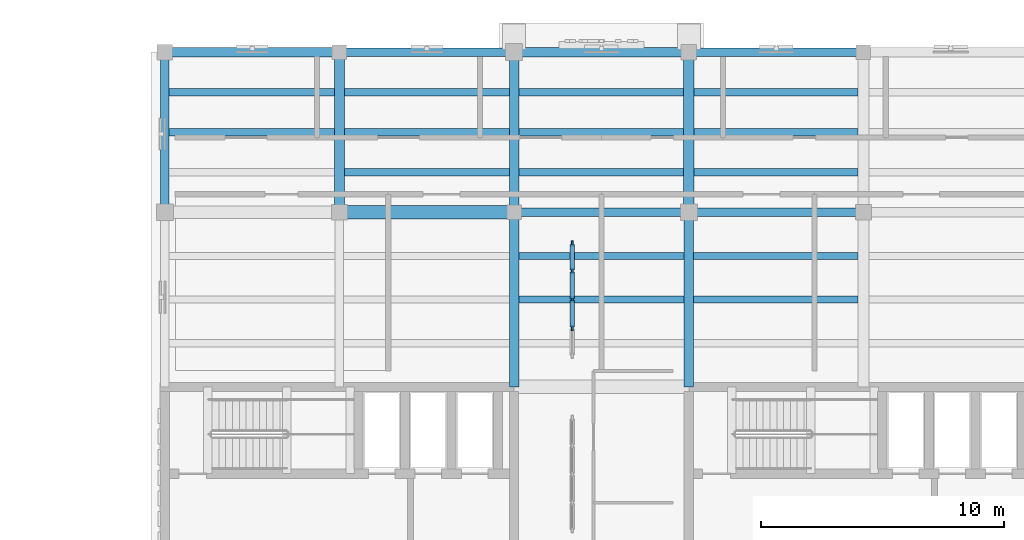
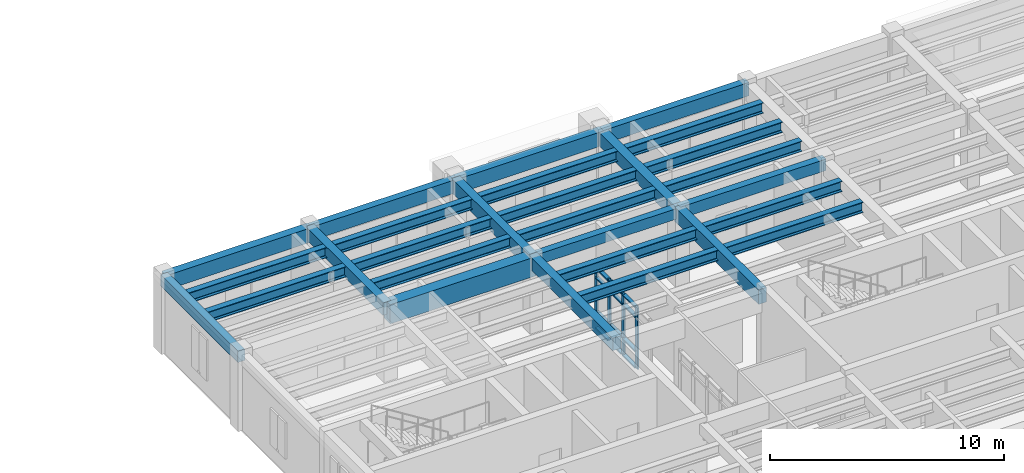
# One storey, part 14 of 66: 28 beams, 16 members, 1 element without a shape of its own.
"""IFC4 building model written with IfcOpenShell, lengths in metres."""

from ifc_helpers import new_model, si_unit, direction, frame, origin, origin_2d, place, context, subcontext, project, spatial, rectangle, i_section, extrude, material, material_profile, profile_set, type_object, element, aggregate, save


model = new_model("IFC4")

# Units and contexts
model_context = context("Model", 3, precision=1e-05, world=origin(), true_north=direction((0.0, 1.0)))
body_context = subcontext(model_context, "Body", "Model", "MODEL_VIEW")
ifc_project = project(units=[si_unit("LENGTHUNIT", "METRE"), si_unit("AREAUNIT", "SQUARE_METRE"), si_unit("VOLUMEUNIT", "CUBIC_METRE"), si_unit("PLANEANGLEUNIT", "RADIAN"), si_unit("MASSUNIT", "GRAM", prefix="KILO")], contexts=[model_context])

# Site, building, storey
site_placement = place(None, origin())
site = spatial("IfcSite", under=ifc_project, at=site_placement, CompositionType="ELEMENT")
building_placement = place(site_placement, origin())
building = spatial("IfcBuilding", under=site, at=building_placement, Name="Mithqara Police Headquarters", CompositionType="ELEMENT")
storey_placement = place(building_placement, frame((0.0, 0.0, 9.60009765625)))
storey = spatial("IfcBuildingStorey", under=building, at=storey_placement, Name="L02", CompositionType="ELEMENT", Elevation=9.60009765625)

# Beams
ifc_material_1 = material(Name="Steel S355JR", Category="steel")
ifc_material_profile_1 = material_profile(ifc_material_1, i_section(OverallWidth=0.300048828125, OverallDepth=0.550048828125, WebThickness=0.014892578125, FlangeThickness=0.029052734375, FilletRadius=0.027099609375, at=origin_2d()), Name="HEB 550")
ifc_profile_set_1 = profile_set([ifc_material_profile_1], Name="Steel S355JR")
beam_type_1 = type_object("IfcBeamType", Name="BEAM HEB550", PredefinedType="BEAM", material=ifc_profile_set_1)
for number, where, z_axis, x_axis, name in (
    (1, (108.77490234375, 110.699951171875, 3.664794921875), (1.0, 0.0, 0.0), (0.0, 1.0, 0.0), "L02 Composite Steel Joist 16-17/R.2"),
    (2, (108.77490234375, 112.35009765625, 3.664794921875), (1.0, 0.0, 0.0), (0.0, 1.0, 0.0), "L02 Composite Steel Joist 16-17/R.3"),
):
    element("IfcBeam", number, at=place(storey_placement, frame(where, z_axis=z_axis, x_axis=x_axis)), inside=storey, type_object=beam_type_1, Name=name, PredefinedType="BEAM", context=body_context, shape_type="SweptSolid", body=[
        extrude(i_section(OverallWidth=0.300048828125, OverallDepth=0.550048828125, WebThickness=0.014892578125, FlangeThickness=0.029052734375, FilletRadius=0.027099609375, at=origin_2d()), origin(), (0.0, 0.0, 1.0), 6.8251953125),
    ])
for number, where, z_axis, x_axis, name in (
    (3, (116.0, 109.050048828125, 3.664794921875), (1.0, 0.0, 0.0), (0.0, 1.0, 0.0), "L02 Composite Steel Joist 17-18/R.1"),
    (4, (116.0, 110.699951171875, 3.664794921875), (1.0, 0.0, 0.0), (0.0, 1.0, 0.0), "L02 Composite Steel Joist 17-18/R.2"),
    (5, (116.0, 112.35009765625, 3.664794921875), (1.0, 0.0, 0.0), (0.0, 1.0, 0.0), "L02 Composite Steel Joist 17-18/R.3"),
    (6, (123.199951171875, 103.800048828125, 3.664794921875), (1.0, 0.0, 0.0), (0.0, 1.0, 0.0), "L02 Composite Steel Joist 18-19/Q.2"),
    (7, (123.199951171875, 105.60009765625, 3.664794921875), (1.0, 0.0, 0.0), (0.0, 1.0, 0.0), "L02 Composite Steel Joist 18-19/Q.3"),
):
    element("IfcBeam", number, at=place(storey_placement, frame(where, z_axis=z_axis, x_axis=x_axis)), inside=storey, type_object=beam_type_1, Name=name, PredefinedType="BEAM", context=body_context, shape_type="SweptSolid", body=[
        extrude(i_section(OverallWidth=0.300048828125, OverallDepth=0.550048828125, WebThickness=0.014892578125, FlangeThickness=0.029052734375, FilletRadius=0.027099609375, at=origin_2d()), origin(), (0.0, 0.0, 1.0), 6.800048828125),
    ])
for number, where, z_axis, x_axis, name in (
    (8, (123.199951171875, 109.050048828125, 3.664794921875), (1.0, 0.0, 0.0), (0.0, 1.0, 0.0), "L02 Composite Steel Joist 18-19/R.1"),
    (9, (123.199951171875, 110.699951171875, 3.664794921875), (1.0, 0.0, 0.0), (0.0, 1.0, 0.0), "L02 Composite Steel Joist 18-19/R.2"),
    (10, (123.199951171875, 112.35009765625, 3.664794921875), (1.0, 0.0, 0.0), (0.0, 1.0, 0.0), "L02 Composite Steel Joist 18-19/R.3"),
    (11, (130.39990234375, 103.800048828125, 3.664794921875), (1.0, 0.0, 0.0), (0.0, 1.0, 0.0), "L02 Composite Steel Joist 19-20/Q.2"),
    (12, (130.39990234375, 105.60009765625, 3.664794921875), (1.0, 0.0, 0.0), (0.0, 1.0, 0.0), "L02 Composite Steel Joist 19-20/Q.3"),
):
    element("IfcBeam", number, at=place(storey_placement, frame(where, z_axis=z_axis, x_axis=x_axis)), inside=storey, type_object=beam_type_1, Name=name, PredefinedType="BEAM", context=body_context, shape_type="SweptSolid", body=[
        extrude(i_section(OverallWidth=0.300048828125, OverallDepth=0.550048828125, WebThickness=0.014892578125, FlangeThickness=0.029052734375, FilletRadius=0.027099609375, at=origin_2d()), origin(), (0.0, 0.0, 1.0), 6.775146484375),
    ])
for number, where, z_axis, x_axis, name in (
    (13, (130.425048828125, 109.050048828125, 3.664794921875), (1.0, 0.0, 0.0), (0.0, 1.0, 0.0), "L02 Composite Steel Joist 19-20/R.1"),
    (14, (130.425048828125, 110.699951171875, 3.664794921875), (1.0, 0.0, 0.0), (0.0, 1.0, 0.0), "L02 Composite Steel Joist 19-20/R.2"),
    (15, (130.425048828125, 112.35009765625, 3.664794921875), (1.0, 0.0, 0.0), (0.0, 1.0, 0.0), "L02 Composite Steel Joist 19-20/R.3"),
):
    element("IfcBeam", number, at=place(storey_placement, frame(where, z_axis=z_axis, x_axis=x_axis)), inside=storey, type_object=beam_type_1, Name=name, PredefinedType="BEAM", context=body_context, shape_type="SweptSolid", body=[
        extrude(i_section(OverallWidth=0.300048828125, OverallDepth=0.550048828125, WebThickness=0.014892578125, FlangeThickness=0.029052734375, FilletRadius=0.027099609375, at=origin_2d()), origin(), (0.0, 0.0, 1.0), 6.75),
    ])
ifc_material_2 = material(Name="Concrete C40/50", Category="concrete")
ifc_material_profile_2 = material_profile(ifc_material_2, rectangle(XDim=0.35009765625, YDim=0.550048828125, at=origin_2d()), Name="RC 350x550")
ifc_profile_set_2 = profile_set([ifc_material_profile_2], Name="Concrete C40/50")
beam_type_2 = type_object("IfcBeamType", Name="BEAM RC350X550", PredefinedType="BEAM", material=ifc_profile_set_2)
beam_1_placement = place(storey_placement, frame((123.0, 107.39990234375, 3.664794921875), z_axis=(1.0, 0.0, 0.0), x_axis=(0.0, 1.0, 0.0)))
element("IfcBeam", 16, at=beam_1_placement, inside=storey, type_object=beam_type_2, Name="L02 Girder 18-19/R", PredefinedType="BEAM", context=body_context, shape_type="SweptSolid", body=[
    extrude(rectangle(XDim=0.35009765625, YDim=0.550048828125, at=origin_2d()), origin(), (0.0, 0.0, 1.0), 7.199951171875),
])
ifc_material_profile_3 = material_profile(ifc_material_2, rectangle(XDim=0.35009765625, YDim=0.60009765625, at=origin_2d()), Name="RC 350x600")
ifc_profile_set_3 = profile_set([ifc_material_profile_3], Name="Concrete C40/50")
beam_type_3 = type_object("IfcBeamType", Name="BEAM RC350X600", PredefinedType="BEAM", material=ifc_profile_set_3)
beam_2_placement = place(storey_placement, frame((108.60009765625, 107.39990234375, 3.639892578125), z_axis=(0.0, 1.0, 0.0), x_axis=(-1.0, 0.0, 0.0)))
element("IfcBeam", 17, at=beam_2_placement, inside=storey, type_object=beam_type_3, Name="L02 Girder 16/R-S", PredefinedType="BEAM", context=body_context, shape_type="SweptSolid", body=[
    extrude(rectangle(XDim=0.35009765625, YDim=0.60009765625, at=origin_2d()), origin(), (0.0, 0.0, 1.0), 6.60009765625),
])
beam_3_placement = place(storey_placement, frame((130.199951171875, 107.39990234375, 3.639892578125), z_axis=(1.0, 0.0, 0.0), x_axis=(0.0, 1.0, 0.0)))
element("IfcBeam", 18, at=beam_3_placement, inside=storey, type_object=beam_type_3, Name="L02 Girder 19-20/R", PredefinedType="BEAM", context=body_context, shape_type="SweptSolid", body=[
    extrude(rectangle(XDim=0.35009765625, YDim=0.60009765625, at=origin_2d()), origin(), (0.0, 0.0, 1.0), 7.199951171875),
])
ifc_material_profile_4 = material_profile(ifc_material_2, rectangle(XDim=0.39990234375, YDim=0.64990234375, at=origin_2d()), Name="RC 400x650")
ifc_profile_set_4 = profile_set([ifc_material_profile_4], Name="Concrete C40/50")
beam_type_4 = type_object("IfcBeamType", Name="BEAM RC400X650", PredefinedType="BEAM", material=ifc_profile_set_4)
beam_4_placement = place(storey_placement, frame((115.800048828125, 107.39990234375, 3.614990234375), z_axis=(0.0, 1.0, 0.0), x_axis=(-1.0, 0.0, 0.0)))
element("IfcBeam", 19, at=beam_4_placement, inside=storey, type_object=beam_type_4, Name="L02 Girder 17/R-S", PredefinedType="BEAM", context=body_context, shape_type="SweptSolid", body=[
    extrude(rectangle(XDim=0.39990234375, YDim=0.64990234375, at=origin_2d()), origin(), (0.0, 0.0, 1.0), 6.60009765625),
])
beam_5_placement = place(storey_placement, frame((123.0, 100.199951171875, 3.614990234375), z_axis=(0.0, 1.0, 0.0), x_axis=(-1.0, 0.0, 0.0)))
element("IfcBeam", 20, at=beam_5_placement, inside=storey, type_object=beam_type_4, Name="L02 Girder 18/Q-R", PredefinedType="BEAM", context=body_context, shape_type="SweptSolid", body=[
    extrude(rectangle(XDim=0.39990234375, YDim=0.64990234375, at=origin_2d()), origin(), (0.0, 0.0, 1.0), 7.199951171875),
])
ifc_material_profile_5 = material_profile(ifc_material_2, rectangle(XDim=0.39990234375, YDim=0.75, at=origin_2d()), Name="RC 400x750")
ifc_profile_set_5 = profile_set([ifc_material_profile_5], Name="Concrete C40/50")
beam_type_5 = type_object("IfcBeamType", Name="BEAM RC400X750", PredefinedType="BEAM", material=ifc_profile_set_5)
beam_6_placement = place(storey_placement, frame((123.0, 107.39990234375, 3.56494140625), z_axis=(0.0, 1.0, 0.0), x_axis=(-1.0, 0.0, 0.0)))
element("IfcBeam", 21, at=beam_6_placement, inside=storey, type_object=beam_type_5, Name="L02 Girder 18/R-S", PredefinedType="BEAM", context=body_context, shape_type="SweptSolid", body=[
    extrude(rectangle(XDim=0.39990234375, YDim=0.75, at=origin_2d()), origin(), (0.0, 0.0, 1.0), 6.60009765625),
])
beam_7_placement = place(storey_placement, frame((130.199951171875, 100.199951171875, 3.56494140625), z_axis=(0.0, 1.0, 0.0), x_axis=(-1.0, 0.0, 0.0)))
element("IfcBeam", 22, at=beam_7_placement, inside=storey, type_object=beam_type_5, Name="L02 Girder 19/Q-R", PredefinedType="BEAM", context=body_context, shape_type="SweptSolid", body=[
    extrude(rectangle(XDim=0.39990234375, YDim=0.75, at=origin_2d()), origin(), (0.0, 0.0, 1.0), 7.199951171875),
])
ifc_material_profile_6 = material_profile(ifc_material_2, rectangle(XDim=0.449951171875, YDim=0.699951171875, at=origin_2d()), Name="RC 450x700")
ifc_profile_set_6 = profile_set([ifc_material_profile_6], Name="Concrete C40/50")
beam_type_6 = type_object("IfcBeamType", Name="BEAM RC450X700", PredefinedType="BEAM", material=ifc_profile_set_6)
beam_8_placement = place(storey_placement, frame((130.199951171875, 107.39990234375, 3.58984375), z_axis=(0.0, 1.0, 0.0), x_axis=(-1.0, 0.0, 0.0)))
element("IfcBeam", 23, at=beam_8_placement, inside=storey, type_object=beam_type_6, Name="L02 Girder 19/R-S", PredefinedType="BEAM", context=body_context, shape_type="SweptSolid", body=[
    extrude(rectangle(XDim=0.449951171875, YDim=0.699951171875, at=origin_2d()), origin(), (0.0, 0.0, 1.0), 6.60009765625),
])
ifc_material_3 = material(Name="Concrete C50/60", Category="concrete")
ifc_material_profile_7 = material_profile(ifc_material_3, rectangle(XDim=0.550048828125, YDim=1.0, at=origin_2d()), Name="RC 550x1000")
ifc_profile_set_7 = profile_set([ifc_material_profile_7], Name="Concrete C50/60")
beam_type_7 = type_object("IfcBeamType", Name="BEAM RC550X1000", PredefinedType="BEAM", material=ifc_profile_set_7)
beam_9_placement = place(storey_placement, frame((115.800048828125, 107.39990234375, 3.43994140625), z_axis=(1.0, 0.0, 0.0), x_axis=(0.0, 1.0, 0.0)))
element("IfcBeam", 24, at=beam_9_placement, inside=storey, type_object=beam_type_7, Name="L02 Girder 17-18/R", PredefinedType="BEAM", context=body_context, shape_type="SweptSolid", body=[
    extrude(rectangle(XDim=0.550048828125, YDim=1.0, at=origin_2d()), origin(), (0.0, 0.0, 1.0), 7.199951171875),
])

# Curtain wall, members
ifc_material_4 = material(Name="Bronze anodised aluminium 6063-T6", Category="aluminium")
curtain_wall_type = type_object("IfcCurtainWallType", Name="CURTAIN WALL 4700X3220", PredefinedType="USERDEFINED", material=ifc_material_4)
curtain_wall_placement = place(storey_placement, origin())
curtain_wall = element("IfcCurtainWall", 25, at=curtain_wall_placement, inside=storey, type_object=curtain_wall_type, Name="L02 Unitised Glazing CW-16 (CW-INT-L02-X17-Y14-0)", ObjectType="UNITISED GLAZING", PredefinedType="USERDEFINED")
ifc_material_profile_8 = material_profile(ifc_material_4, rectangle(XDim=0.074951171875, YDim=0.219970703125, at=origin_2d()), Name="CWM 75x220")
ifc_profile_set_8 = profile_set([ifc_material_profile_8], Name="Bronze anodised aluminium 6063-T6")
member_type_1 = type_object("IfcMemberType", Name="CWMULLION 75X220", PredefinedType="MULLION", material=ifc_profile_set_8)
member_1_placement = place(storey_placement, frame((125.39990234375, 102.625, 0.0), z_axis=(0.0, 0.0, 1.0), x_axis=(-1.0, 0.0, 0.0)))
member_1 = element("IfcMember", 26, at=member_1_placement, type_object=member_type_1, Name="CW-16 mullion 2", PredefinedType="MULLION", context=body_context, shape_type="SweptSolid", body=[
    extrude(rectangle(XDim=0.074951171875, YDim=0.219970703125, at=origin_2d()), origin(), (0.0, 0.0, 1.0), 3.219970703125),
])
member_2_placement = place(storey_placement, frame((125.39990234375, 103.800048828125, 0.0), z_axis=(0.0, 0.0, 1.0), x_axis=(-1.0, 0.0, 0.0)))
member_2 = element("IfcMember", 27, at=member_2_placement, type_object=member_type_1, Name="CW-16 mullion 3", PredefinedType="MULLION", context=body_context, shape_type="SweptSolid", body=[
    extrude(rectangle(XDim=0.074951171875, YDim=0.219970703125, at=origin_2d()), origin(), (0.0, 0.0, 1.0), 3.219970703125),
])
member_3_placement = place(storey_placement, frame((125.39990234375, 104.97509765625, 0.0), z_axis=(0.0, 0.0, 1.0), x_axis=(-1.0, 0.0, 0.0)))
member_3 = element("IfcMember", 28, at=member_3_placement, type_object=member_type_1, Name="CW-16 mullion 4", PredefinedType="MULLION", context=body_context, shape_type="SweptSolid", body=[
    extrude(rectangle(XDim=0.074951171875, YDim=0.219970703125, at=origin_2d()), origin(), (0.0, 0.0, 1.0), 3.219970703125),
])
member_4_placement = place(storey_placement, frame((125.39990234375, 106.112548828125, 0.0), z_axis=(0.0, 0.0, 1.0), x_axis=(-1.0, 0.0, 0.0)))
member_4 = element("IfcMember", 29, at=member_4_placement, type_object=member_type_1, Name="CW-16 mullion 5", PredefinedType="MULLION", context=body_context, shape_type="SweptSolid", body=[
    extrude(rectangle(XDim=0.074951171875, YDim=0.219970703125, at=origin_2d()), origin(), (0.0, 0.0, 1.0), 3.219970703125),
])
ifc_material_profile_9 = material_profile(ifc_material_4, rectangle(XDim=0.179931640625, YDim=0.074951171875, at=origin_2d()), Name="CWT 180x75")
ifc_profile_set_9 = profile_set([ifc_material_profile_9], Name="Bronze anodised aluminium 6063-T6")
member_type_2 = type_object("IfcMemberType", Name="CWTRANSOM 180X75", PredefinedType="USERDEFINED", material=ifc_profile_set_9)
member_5_placement = place(storey_placement, frame((125.39990234375, 102.66259765625, 0.037353515625), z_axis=(0.0, 1.0, 0.0), x_axis=(-1.0, 0.0, 0.0)))
member_5 = element("IfcMember", 30, at=member_5_placement, type_object=member_type_2, Name="CW-16 transom 2.1", ObjectType="TRANSOM", PredefinedType="USERDEFINED", context=body_context, shape_type="SweptSolid", body=[
    extrude(rectangle(XDim=0.179931640625, YDim=0.074951171875, at=origin_2d()), origin(), (0.0, 0.0, 1.0), 1.099853515625),
])
member_6_placement = place(storey_placement, frame((125.39990234375, 102.66259765625, 0.89990234375), z_axis=(0.0, 1.0, 0.0), x_axis=(-1.0, 0.0, 0.0)))
member_6 = element("IfcMember", 31, at=member_6_placement, type_object=member_type_2, Name="CW-16 transom 2.2", ObjectType="TRANSOM", PredefinedType="USERDEFINED", context=body_context, shape_type="SweptSolid", body=[
    extrude(rectangle(XDim=0.179931640625, YDim=0.074951171875, at=origin_2d()), origin(), (0.0, 0.0, 1.0), 1.099853515625),
])
member_7_placement = place(storey_placement, frame((125.39990234375, 102.66259765625, 2.669921875), z_axis=(0.0, 1.0, 0.0), x_axis=(-1.0, 0.0, 0.0)))
member_7 = element("IfcMember", 32, at=member_7_placement, type_object=member_type_2, Name="CW-16 transom 2.3", ObjectType="TRANSOM", PredefinedType="USERDEFINED", context=body_context, shape_type="SweptSolid", body=[
    extrude(rectangle(XDim=0.179931640625, YDim=0.074951171875, at=origin_2d()), origin(), (0.0, 0.0, 1.0), 1.099853515625),
])
member_8_placement = place(storey_placement, frame((125.39990234375, 102.66259765625, 3.182373046875), z_axis=(0.0, 1.0, 0.0), x_axis=(-1.0, 0.0, 0.0)))
member_8 = element("IfcMember", 33, at=member_8_placement, type_object=member_type_2, Name="CW-16 transom 2.4", ObjectType="TRANSOM", PredefinedType="USERDEFINED", context=body_context, shape_type="SweptSolid", body=[
    extrude(rectangle(XDim=0.179931640625, YDim=0.074951171875, at=origin_2d()), origin(), (0.0, 0.0, 1.0), 1.099853515625),
])
member_9_placement = place(storey_placement, frame((125.39990234375, 103.83740234375, 0.037353515625), z_axis=(0.0, 1.0, 0.0), x_axis=(-1.0, 0.0, 0.0)))
member_9 = element("IfcMember", 34, at=member_9_placement, type_object=member_type_2, Name="CW-16 transom 3.1", ObjectType="TRANSOM", PredefinedType="USERDEFINED", context=body_context, shape_type="SweptSolid", body=[
    extrude(rectangle(XDim=0.179931640625, YDim=0.074951171875, at=origin_2d()), origin(), (0.0, 0.0, 1.0), 1.10009765625),
])
member_10_placement = place(storey_placement, frame((125.39990234375, 103.83740234375, 0.89990234375), z_axis=(0.0, 1.0, 0.0), x_axis=(-1.0, 0.0, 0.0)))
member_10 = element("IfcMember", 35, at=member_10_placement, type_object=member_type_2, Name="CW-16 transom 3.2", ObjectType="TRANSOM", PredefinedType="USERDEFINED", context=body_context, shape_type="SweptSolid", body=[
    extrude(rectangle(XDim=0.179931640625, YDim=0.074951171875, at=origin_2d()), origin(), (0.0, 0.0, 1.0), 1.10009765625),
])
member_11_placement = place(storey_placement, frame((125.39990234375, 103.83740234375, 2.669921875), z_axis=(0.0, 1.0, 0.0), x_axis=(-1.0, 0.0, 0.0)))
member_11 = element("IfcMember", 36, at=member_11_placement, type_object=member_type_2, Name="CW-16 transom 3.3", ObjectType="TRANSOM", PredefinedType="USERDEFINED", context=body_context, shape_type="SweptSolid", body=[
    extrude(rectangle(XDim=0.179931640625, YDim=0.074951171875, at=origin_2d()), origin(), (0.0, 0.0, 1.0), 1.10009765625),
])
member_12_placement = place(storey_placement, frame((125.39990234375, 103.83740234375, 3.182373046875), z_axis=(0.0, 1.0, 0.0), x_axis=(-1.0, 0.0, 0.0)))
member_12 = element("IfcMember", 37, at=member_12_placement, type_object=member_type_2, Name="CW-16 transom 3.4", ObjectType="TRANSOM", PredefinedType="USERDEFINED", context=body_context, shape_type="SweptSolid", body=[
    extrude(rectangle(XDim=0.179931640625, YDim=0.074951171875, at=origin_2d()), origin(), (0.0, 0.0, 1.0), 1.10009765625),
])
member_13_placement = place(storey_placement, frame((125.39990234375, 105.012451171875, 0.037353515625), z_axis=(0.0, 1.0, 0.0), x_axis=(-1.0, 0.0, 0.0)))
member_13 = element("IfcMember", 38, at=member_13_placement, type_object=member_type_2, Name="CW-16 transom 4.1", ObjectType="TRANSOM", PredefinedType="USERDEFINED", context=body_context, shape_type="SweptSolid", body=[
    extrude(rectangle(XDim=0.179931640625, YDim=0.074951171875, at=origin_2d()), origin(), (0.0, 0.0, 1.0), 1.0625),
])
member_14_placement = place(storey_placement, frame((125.39990234375, 105.012451171875, 0.89990234375), z_axis=(0.0, 1.0, 0.0), x_axis=(-1.0, 0.0, 0.0)))
member_14 = element("IfcMember", 39, at=member_14_placement, type_object=member_type_2, Name="CW-16 transom 4.2", ObjectType="TRANSOM", PredefinedType="USERDEFINED", context=body_context, shape_type="SweptSolid", body=[
    extrude(rectangle(XDim=0.179931640625, YDim=0.074951171875, at=origin_2d()), origin(), (0.0, 0.0, 1.0), 1.0625),
])
member_15_placement = place(storey_placement, frame((125.39990234375, 105.012451171875, 2.669921875), z_axis=(0.0, 1.0, 0.0), x_axis=(-1.0, 0.0, 0.0)))
member_15 = element("IfcMember", 40, at=member_15_placement, type_object=member_type_2, Name="CW-16 transom 4.3", ObjectType="TRANSOM", PredefinedType="USERDEFINED", context=body_context, shape_type="SweptSolid", body=[
    extrude(rectangle(XDim=0.179931640625, YDim=0.074951171875, at=origin_2d()), origin(), (0.0, 0.0, 1.0), 1.0625),
])
member_16_placement = place(storey_placement, frame((125.39990234375, 105.012451171875, 3.182373046875), z_axis=(0.0, 1.0, 0.0), x_axis=(-1.0, 0.0, 0.0)))
member_16 = element("IfcMember", 41, at=member_16_placement, type_object=member_type_2, Name="CW-16 transom 4.4", ObjectType="TRANSOM", PredefinedType="USERDEFINED", context=body_context, shape_type="SweptSolid", body=[
    extrude(rectangle(XDim=0.179931640625, YDim=0.074951171875, at=origin_2d()), origin(), (0.0, 0.0, 1.0), 1.0625),
])
aggregate(curtain_wall, [member_1, member_2, member_3, member_4, member_5, member_6, member_7, member_8, member_9, member_10, member_11, member_12, member_13, member_14, member_15, member_16])

# Beams
ifc_material_profile_10 = material_profile(ifc_material_2, rectangle(XDim=0.35009765625, YDim=0.699951171875, at=origin_2d()), Name="SPB 350x700")
ifc_profile_set_10 = profile_set([ifc_material_profile_10], Name="Concrete C40/50")
beam_type_8 = type_object("IfcBeamType", Name="SPANDREL 350X700", PredefinedType="SPANDREL", material=ifc_profile_set_10)
for number, where, z_axis, x_axis, name in (
    (42, (115.800048828125, 114.0, 3.58984375), (1.0, 0.0, 0.0), (0.0, 1.0, 0.0), "L02 Girder 17-18/S"),
    (43, (130.199951171875, 114.0, 3.58984375), (1.0, 0.0, 0.0), (0.0, 1.0, 0.0), "L02 Girder 19-20/S"),
):
    element("IfcBeam", number, at=place(storey_placement, frame(where, z_axis=z_axis, x_axis=x_axis)), inside=storey, type_object=beam_type_8, Name=name, PredefinedType="SPANDREL", context=body_context, shape_type="SweptSolid", body=[
        extrude(rectangle(XDim=0.35009765625, YDim=0.699951171875, at=origin_2d()), origin(), (0.0, 0.0, 1.0), 7.199951171875),
    ])
ifc_material_profile_11 = material_profile(ifc_material_2, rectangle(XDim=0.39990234375, YDim=0.75, at=origin_2d()), Name="SPB 400x750")
ifc_profile_set_11 = profile_set([ifc_material_profile_11], Name="Concrete C40/50")
beam_type_9 = type_object("IfcBeamType", Name="SPANDREL 400X750", PredefinedType="SPANDREL", material=ifc_profile_set_11)
for number, where, z_axis, x_axis, name in (
    (44, (108.60009765625, 114.0, 3.56494140625), (1.0, 0.0, 0.0), (0.0, 1.0, 0.0), "L02 Girder 16-17/S"),
    (45, (123.0, 114.0, 3.56494140625), (1.0, 0.0, 0.0), (0.0, 1.0, 0.0), "L02 Girder 18-19/S"),
):
    element("IfcBeam", number, at=place(storey_placement, frame(where, z_axis=z_axis, x_axis=x_axis)), inside=storey, type_object=beam_type_9, Name=name, PredefinedType="SPANDREL", context=body_context, shape_type="SweptSolid", body=[
        extrude(rectangle(XDim=0.39990234375, YDim=0.75, at=origin_2d()), origin(), (0.0, 0.0, 1.0), 7.199951171875),
    ])

save(model, "model.ifc")
